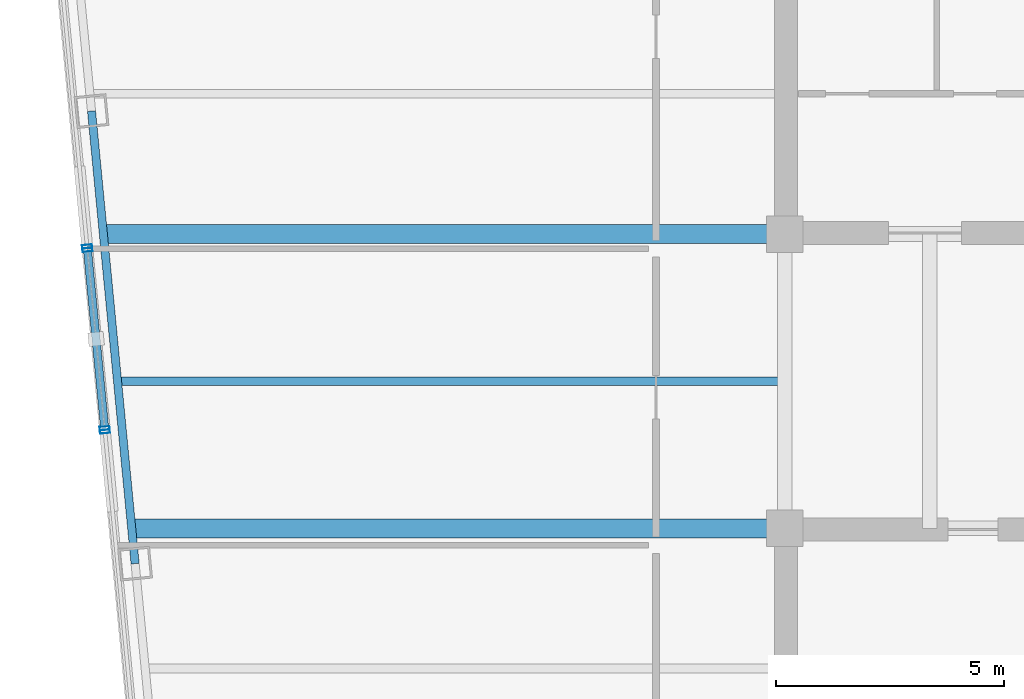
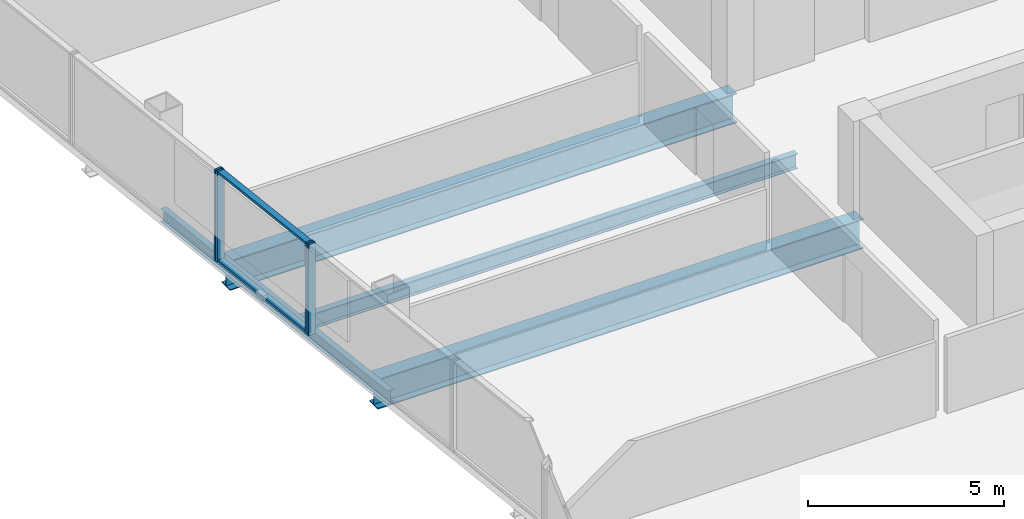
# One storey, part 6 of 22: 6 members, 4 beams, 3 elements without a shape of their own.
"""IFC4 building model written with IfcOpenShell, lengths in metres."""

import ifcopenshell
import ifcopenshell.guid

model = None  # the IFC model being written
_history = None  # IfcOwnerHistory: only IFC2X3 demands one
_inside = {}  # id of a spatial element -> (the spatial element, [elements in it])
_under = {}  # id of a project, library or spatial element -> (it, [spatial elements below it])
_declared = {}  # id of a project -> (the project, [libraries it declares])
_typed = {}  # id of a type object -> (the type object, [elements of that type])
_made_of = {}  # id of a material, layer set ... -> (it, [elements and type objects made of it])


def new_model(schema):
    """Start an empty IFC model of exactly this schema.

    Asked for "IFC4X3", IfcOpenShell would pick the latest addendum, in which some entities
    have other attributes; the version numbers below select the first issue.
    IFC2X3 requires an IfcOwnerHistory on every rooted entity: one is made here for all.
    """
    global model, _history
    if schema == "IFC4X3":
        model = ifcopenshell.file(schema_version=(4, 3, 0, 0))
    else:
        model = ifcopenshell.file(schema=schema)
    _inside.clear()
    _under.clear()
    _declared.clear()
    _typed.clear()
    _made_of.clear()
    _history = None
    if model.schema == "IFC2X3":
        org = make("IfcOrganization", Name="unknown")
        user = make(
            "IfcPersonAndOrganization",
            ThePerson=make("IfcPerson", FamilyName="unknown"),
            TheOrganization=org,
        )
        app = make(
            "IfcApplication",
            ApplicationDeveloper=org,
            Version="unknown",
            ApplicationFullName="unknown",
            ApplicationIdentifier="unknown",
        )
        _history = make(
            "IfcOwnerHistory",
            OwningUser=user,
            OwningApplication=app,
            ChangeAction="ADDED",
            CreationDate=0,
        )
    return model


def make(cls, **values):
    """One entity of the class cls with the attributes given. An attribute that is None is left unset."""
    return model.create_entity(
        cls, **{name: value for name, value in values.items() if value is not None}
    )


def rooted(cls, **values):
    """An entity with a GlobalId (a new one), such as an element, a storey or a relation."""
    return make(cls, GlobalId=ifcopenshell.guid.new(), OwnerHistory=_history, **values)


def si_unit(unit_type, name, prefix=None):
    """IfcSIUnit, for example si_unit("LENGTHUNIT", "METRE", prefix="MILLI")."""
    return make("IfcSIUnit", UnitType=unit_type, Prefix=prefix, Name=name)


def assignment(units):
    """IfcUnitAssignment: the units of a project."""
    return None if units is None else make("IfcUnitAssignment", Units=units)


def point(xyz):
    """IfcCartesianPoint."""
    return None if xyz is None else make("IfcCartesianPoint", Coordinates=xyz)


def direction(xyz):
    """IfcDirection."""
    return None if xyz is None else make("IfcDirection", DirectionRatios=xyz)


def frame(location, z_axis=None, x_axis=None):
    """IfcAxis2Placement3D, a coordinate frame: its origin and axes. An axis left out is left unset."""
    return make(
        "IfcAxis2Placement3D",
        Location=point(location),
        Axis=direction(z_axis),
        RefDirection=direction(x_axis),
    )


def frame_2d(location, x_axis=None):
    """IfcAxis2Placement2D, a coordinate frame in the plane: its origin and x axis."""
    return make(
        "IfcAxis2Placement2D", Location=point(location), RefDirection=direction(x_axis)
    )


def origin():
    """The frame at (0, 0, 0) with its axes left unset."""
    return frame((0.0, 0.0, 0.0))


def origin_2d():
    """The frame at (0, 0) in the plane with its x axis left unset."""
    return frame_2d((0.0, 0.0))


def place(relative_to, where):
    """IfcLocalPlacement: puts the frame where relative to a parent placement (None: the world)."""
    return make(
        "IfcLocalPlacement", PlacementRelTo=relative_to, RelativePlacement=where
    )


def context(
    kind, dimensions, precision=None, world=None, true_north=None, identifier=None
):
    """IfcGeometricRepresentationContext, for example the 3D "Model" context."""
    return make(
        "IfcGeometricRepresentationContext",
        ContextIdentifier=identifier,
        ContextType=kind,
        CoordinateSpaceDimension=dimensions,
        Precision=precision,
        WorldCoordinateSystem=world,
        TrueNorth=true_north,
    )


def subcontext(parent, identifier, kind, view, scale=None):
    """IfcGeometricRepresentationSubContext, for example "Body" below "Model"."""
    return make(
        "IfcGeometricRepresentationSubContext",
        ContextIdentifier=identifier,
        ContextType=kind,
        ParentContext=parent,
        TargetScale=scale,
        TargetView=view,
    )


def project(units=None, contexts=None):
    """IfcProject with its units and contexts."""
    return rooted(
        "IfcProject",
        Name="project",
        RepresentationContexts=contexts,
        UnitsInContext=assignment(units),
    )


def spatial(cls, under=None, at=None, **own):
    """A site, building, storey or space (cls), placed at a placement, below another one or the project."""
    s = rooted(cls, ObjectPlacement=at, **own)
    if under is not None:
        _under.setdefault(under.id(), (under, []))[1].append(s)
    return s


def profile(cls, at=None, kind="AREA", **sizes):
    """A parametric profile (cls). Its sizes go by their IFC names, for example OverallWidth=200.0."""
    return make(cls, ProfileType=kind, Position=at, **sizes)


def hollow_rectangle(**sizes):
    """IfcRectangleHollowProfileDef."""
    return profile("IfcRectangleHollowProfileDef", **sizes)


def i_section(**sizes):
    """IfcIShapeProfileDef."""
    return profile("IfcIShapeProfileDef", **sizes)


def extrude(swept, where, along, depth):
    """IfcExtrudedAreaSolid: the profile swept, set in the frame where, extruded along a direction by depth."""
    return make(
        "IfcExtrudedAreaSolid",
        SweptArea=swept,
        Position=where,
        ExtrudedDirection=direction(along),
        Depth=depth,
    )


def shape(context_of_items, identifier, shape_type, items):
    """IfcShapeRepresentation: the items that make up one representation, for example the "Body"."""
    return make(
        "IfcShapeRepresentation",
        ContextOfItems=context_of_items,
        RepresentationIdentifier=identifier,
        RepresentationType=shape_type,
        Items=items,
    )


def material(Name=None, Category=None):
    """IfcMaterial."""
    return make("IfcMaterial", Name=Name, Category=Category)


def layer(
    of_material, thickness, ventilated=None, Name=None, Category=None, Priority=None
):
    """IfcMaterialLayer: one layer of a wall or slab, of a material (None: an air gap)."""
    return make(
        "IfcMaterialLayer",
        Material=of_material,
        LayerThickness=thickness,
        IsVentilated=ventilated,
        Name=Name,
        Category=Category,
        Priority=Priority,
    )


def layer_set(layers, Name=None):
    """IfcMaterialLayerSet."""
    return make("IfcMaterialLayerSet", MaterialLayers=layers, LayerSetName=Name)


def material_profile(
    of_material, cross_section, Name=None, Category=None, Priority=None
):
    """IfcMaterialProfile: a cross section and its material."""
    return make(
        "IfcMaterialProfile",
        Name=Name,
        Material=of_material,
        Profile=cross_section,
        Priority=Priority,
        Category=Category,
    )


def profile_set(profiles, Name=None, composite=None):
    """IfcMaterialProfileSet."""
    return make(
        "IfcMaterialProfileSet",
        Name=Name,
        MaterialProfiles=profiles,
        CompositeProfile=composite,
    )


def made_of(thing, what):
    """Note that an element or type object is made of a material, layer set ...; save() writes the relation."""
    if what is not None:
        _made_of.setdefault(what.id(), (what, []))[1].append(thing)
    return thing


def type_object(cls, material=None, **own):
    """A type object (cls), such as IfcWallType, which elements share."""
    return made_of(rooted(cls, **own), material)


def element(
    cls,
    number,
    at=None,
    inside=None,
    cuts=None,
    type_object=None,
    material=None,
    context=None,
    identifier="Body",
    shape_type=None,
    held_by="IfcProductDefinitionShape",
    body=None,
    shapes=None,
    **own,
):
    """One element of the class cls, such as IfcWall. Its Tag is "e" and its number.

    at: its placement. inside: the storey or other place that contains it. cuts: it is an
    opening in that element (IfcRelVoidsElement). A single representation is given by context,
    identifier, shape_type and body (its items); several are given by shapes. held_by: the class
    of the entity that holds the representations. save() writes the other relations.
    """
    e = rooted(cls, Tag="e%d" % number, ObjectPlacement=at, **own)
    if body is not None:
        shapes = [shape(context, identifier, shape_type, body)]
    if shapes is not None:
        e.Representation = make(held_by, Representations=shapes)
    if inside is not None:
        _inside.setdefault(inside.id(), (inside, []))[1].append(e)
    if cuts is not None:
        rooted(
            "IfcRelVoidsElement", RelatingBuildingElement=cuts, RelatedOpeningElement=e
        )
    if type_object is not None:
        _typed.setdefault(type_object.id(), (type_object, []))[1].append(e)
    return made_of(e, material)


def aggregate(whole, parts):
    """IfcRelAggregates: a whole, such as a stair, and the parts it consists of."""
    return rooted("IfcRelAggregates", RelatingObject=whole, RelatedObjects=parts)


def save(model, path):
    """Write the relations noted so far, then the file.

    IfcRelAggregates (storeys below a building ...), IfcRelContainedInSpatialStructure (elements
    in a storey), IfcRelDefinesByType, IfcRelAssociatesMaterial and IfcRelDeclares: one each for
    every whole, place, type object, material and project.
    """
    for whole, parts in _under.values():
        aggregate(whole, parts)
    for where, things in _inside.values():
        rooted(
            "IfcRelContainedInSpatialStructure",
            RelatedElements=things,
            RelatingStructure=where,
        )
    for kind, things in _typed.values():
        rooted("IfcRelDefinesByType", RelatedObjects=things, RelatingType=kind)
    for what, things in _made_of.values():
        rooted("IfcRelAssociatesMaterial", RelatedObjects=things, RelatingMaterial=what)
    for by, libraries in _declared.values():
        rooted("IfcRelDeclares", RelatingContext=by, RelatedDefinitions=libraries)
    model.write(path)


model = new_model("IFC4")

# Units and contexts
model_context = context("Model", 3, precision=1e-05, world=origin(), true_north=direction((0.0, 1.0)))
body_context = subcontext(model_context, "Body", "Model", "MODEL_VIEW")
ifc_project = project(units=[si_unit("LENGTHUNIT", "METRE"), si_unit("AREAUNIT", "SQUARE_METRE"), si_unit("VOLUMEUNIT", "CUBIC_METRE"), si_unit("PLANEANGLEUNIT", "RADIAN"), si_unit("MASSUNIT", "GRAM", prefix="KILO")], contexts=[model_context])

# Site, building, storey
site_placement = place(None, origin())
site = spatial("IfcSite", under=ifc_project, at=site_placement, CompositionType="ELEMENT")
building_placement = place(site_placement, origin())
building = spatial("IfcBuilding", under=site, at=building_placement, Name="Qhalaya Broadcast Tower", CompositionType="ELEMENT")
storey_placement = place(building_placement, frame((0.0, 0.0, 174.449951171875)))
storey = spatial("IfcBuildingStorey", under=building, at=storey_placement, Name="L51", CompositionType="ELEMENT", Elevation=174.449951171875)

# Beams
ifc_material_1 = material(Name="Structural Steel ASTM A992 Grade 50", Category="steel")
ifc_material_profile_1 = material_profile(ifc_material_1, i_section(OverallWidth=0.19189453125, OverallDepth=0.462890625, WebThickness=0.010498046875, FlangeThickness=0.017578125, at=origin_2d()), Name="W18X60")
ifc_profile_set_1 = profile_set([ifc_material_profile_1], Name="Structural Steel ASTM A992 Grade 50")
beam_type_1 = type_object("IfcBeamType", Name="Composite Floor Joist J03", PredefinedType="JOIST", material=ifc_profile_set_1)
beam_1_placement = place(storey_placement, frame((-23.982421875, 0.60009765625, -0.451416015625), z_axis=(1.0, 0.0, 0.0), x_axis=(0.0, 1.0, 0.0)))
element("IfcBeam", 1, at=beam_1_placement, inside=storey, type_object=beam_type_1, Name="L51 J03 L51-JWE4W-1", PredefinedType="JOIST", context=body_context, shape_type="SweptSolid", body=[
    extrude(i_section(OverallWidth=0.19189453125, OverallDepth=0.462890625, WebThickness=0.010498046875, FlangeThickness=0.017578125, at=origin_2d()), origin(), (0.0, 0.0, 1.0), 14.607421875),
])
ifc_material_profile_2 = material_profile(ifc_material_1, i_section(OverallWidth=0.4189453125, OverallDepth=0.927001953125, WebThickness=0.019287109375, FlangeThickness=0.031982421875, at=origin_2d()), Name="W36X231")
ifc_profile_set_2 = profile_set([ifc_material_profile_2], Name="Structural Steel ASTM A992 Grade 50")
beam_type_2 = type_object("IfcBeamType", Name="Mid Block Primary Girder PG3", PredefinedType="USERDEFINED", material=ifc_profile_set_2)
beam_2_placement = place(storey_placement, frame((-23.671875, -2.625, -0.683349609375), z_axis=(1.0, 0.0, 0.0), x_axis=(0.0, 1.0, 0.0)))
element("IfcBeam", 2, at=beam_2_placement, inside=storey, type_object=beam_type_2, Name="L51 PG3 L51-PGYW2-1", ObjectType="GIRDER", PredefinedType="USERDEFINED", context=body_context, shape_type="SweptSolid", body=[
    extrude(i_section(OverallWidth=0.4189453125, OverallDepth=0.927001953125, WebThickness=0.019287109375, FlangeThickness=0.031982421875, at=origin_2d()), origin(), (0.0, 0.0, 1.0), 14.296875),
])
beam_3_placement = place(storey_placement, frame((-24.29296875, 3.824951171875, -0.683349609375), z_axis=(1.0, 0.0, 0.0), x_axis=(0.0, 1.0, 0.0)))
element("IfcBeam", 3, at=beam_3_placement, inside=storey, type_object=beam_type_2, Name="L51 PG3 L51-PGYW3-1", ObjectType="GIRDER", PredefinedType="USERDEFINED", context=body_context, shape_type="SweptSolid", body=[
    extrude(i_section(OverallWidth=0.4189453125, OverallDepth=0.927001953125, WebThickness=0.019287109375, FlangeThickness=0.031982421875, at=origin_2d()), origin(), (0.0, 0.0, 1.0), 14.91796875),
])

# Curtain wall, member
ifc_material_2 = material(Name="Fired Architectural Terracotta", Category="masonry")
ifc_layer_1 = layer(ifc_material_2, 0.219970703125, Name="Fired Architectural Terracotta")
ifc_layer_set_1 = layer_set([ifc_layer_1], Name="Fired Architectural Terracotta")
curtain_wall_type_1 = type_object("IfcCurtainWallType", Name="Block-Cap Unitised Terracotta Spandrel Wall CW-07", PredefinedType="NOTDEFINED", material=ifc_layer_set_1)
curtain_wall_1_placement = place(storey_placement, origin())
curtain_wall_1 = element("IfcCurtainWall", 4, at=curtain_wall_1_placement, inside=storey, type_object=curtain_wall_type_1, Name="L51 Unitised Curtain Wall L51-CW-W3", PredefinedType="NOTDEFINED")
ifc_material_3 = material(Name="Anodised Aluminium 6063-T6", Category="aluminium")
ifc_material_profile_3 = material_profile(ifc_material_3, hollow_rectangle(XDim=0.074951171875, YDim=0.219970703125, WallThickness=0.00390625, at=origin_2d()), Name="ALU-MUL 75x220x4")
ifc_profile_set_3 = profile_set([ifc_material_profile_3], Name="Anodised Aluminium 6063-T6")
member_type_1 = type_object("IfcMemberType", Name="Unitised Curtain-Wall Mullion M01", PredefinedType="MULLION", material=ifc_profile_set_3)
member_1_placement = place(storey_placement, frame((-24.668701171875, 3.553466796875, 0.0), z_axis=(0.0, 0.0, 1.0), x_axis=(0.095836642528, -0.995397075518, 0.0)))
member_1 = element("IfcMember", 5, at=member_1_placement, type_object=member_type_1, Name="CW-07 mullion 2", PredefinedType="MULLION", context=body_context, shape_type="SweptSolid", body=[
    extrude(hollow_rectangle(XDim=0.074951171875, YDim=0.219970703125, WallThickness=0.00390625, at=origin_2d()), origin(), (0.0, 0.0, 1.0), 2.830078125),
])
aggregate(curtain_wall_1, [member_1])

# Curtain wall, members
ifc_material_4 = material(Name="Solar-Control Low-E Triple Glazing", Category="glass")
ifc_layer_2 = layer(ifc_material_4, 0.219970703125, Name="Solar-Control Low-E Triple Glazing")
ifc_layer_set_2 = layer_set([ifc_layer_2], Name="Solar-Control Low-E Triple Glazing")
curtain_wall_type_2 = type_object("IfcCurtainWallType", Name="Even-Block 4-Storey Double-Module Curtain Wall CW-03", PredefinedType="NOTDEFINED", material=ifc_layer_set_2)
curtain_wall_2_placement = place(storey_placement, origin())
curtain_wall_2 = element("IfcCurtainWall", 6, at=curtain_wall_2_placement, inside=storey, type_object=curtain_wall_type_2, Name="L51 Unitised Curtain Wall L51-CW-W4", PredefinedType="NOTDEFINED")
member_2_placement = place(storey_placement, frame((-24.661376953125, 3.478759765625, 0.0), z_axis=(0.0, 0.0, 1.0), x_axis=(0.095851433835, -0.995395651302, 0.0)))
member_2 = element("IfcMember", 7, at=member_2_placement, type_object=member_type_1, Name="CW-03 mullion 1", PredefinedType="MULLION", context=body_context, shape_type="SweptSolid", body=[
    extrude(hollow_rectangle(XDim=0.074951171875, YDim=0.219970703125, WallThickness=0.00390625, at=origin_2d()), origin(), (0.0, 0.0, 1.0), 2.830078125),
])
member_3_placement = place(storey_placement, frame((-24.284912109375, -0.43017578125, 0.0), z_axis=(0.0, 0.0, 1.0), x_axis=(0.095851433835, -0.995395651302, 0.0)))
member_3 = element("IfcMember", 8, at=member_3_placement, type_object=member_type_1, Name="CW-03 mullion 2", PredefinedType="MULLION", context=body_context, shape_type="SweptSolid", body=[
    extrude(hollow_rectangle(XDim=0.074951171875, YDim=0.219970703125, WallThickness=0.00390625, at=origin_2d()), origin(), (0.0, 0.0, 1.0), 2.830078125),
])

# Curtain wall, member
curtain_wall_3_placement = place(storey_placement, origin())
curtain_wall_3 = element("IfcCurtainWall", 9, at=curtain_wall_3_placement, inside=storey, type_object=curtain_wall_type_1, Name="L51 Unitised Curtain Wall L51-CW-W5", PredefinedType="NOTDEFINED")
member_4_placement = place(storey_placement, frame((-24.27783203125, -0.5048828125, 0.0), z_axis=(0.0, 0.0, 1.0), x_axis=(0.095853708125, -0.995395432297, 0.0)))
member_4 = element("IfcMember", 10, at=member_4_placement, type_object=member_type_1, Name="CW-07 mullion 1", PredefinedType="MULLION", context=body_context, shape_type="SweptSolid", body=[
    extrude(hollow_rectangle(XDim=0.074951171875, YDim=0.219970703125, WallThickness=0.00390625, at=origin_2d()), origin(), (0.0, 0.0, 1.0), 2.830078125),
])
aggregate(curtain_wall_3, [member_4])

# Member
ifc_material_profile_4 = material_profile(ifc_material_3, hollow_rectangle(XDim=0.074951171875, YDim=0.179931640625, WallThickness=0.00390625, at=origin_2d()), Name="ALU-TRN 75x180x4")
ifc_profile_set_4 = profile_set([ifc_material_profile_4], Name="Anodised Aluminium 6063-T6")
member_type_2 = type_object("IfcMemberType", Name="Unitised Curtain-Wall Transom T01", PredefinedType="USERDEFINED", material=ifc_profile_set_4)
member_5_placement = place(storey_placement, frame((-24.65771484375, 3.44140625, 0.03759765625), z_axis=(0.095831968077, -0.995397525562, 0.0), x_axis=(0.0, 0.0, 1.0)))
member_5 = element("IfcMember", 11, at=member_5_placement, type_object=member_type_2, Name="CW-03 transom 1.1", ObjectType="TRANSOM", PredefinedType="USERDEFINED", context=body_context, shape_type="SweptSolid", body=[
    extrude(hollow_rectangle(XDim=0.074951171875, YDim=0.179931640625, WallThickness=0.00390625, at=origin_2d()), origin(), (0.0, 0.0, 1.0), 3.85205078125),
])

member_6_placement = place(storey_placement, frame((-24.65771484375, 3.44140625, 2.79248046875), z_axis=(0.095831968077, -0.995397525562, 0.0), x_axis=(0.0, 0.0, 1.0)))
member_6 = element("IfcMember", 12, at=member_6_placement, type_object=member_type_2, Name="CW-03 transom 1.2", ObjectType="TRANSOM", PredefinedType="USERDEFINED", context=body_context, shape_type="SweptSolid", body=[
    extrude(hollow_rectangle(XDim=0.074951171875, YDim=0.179931640625, WallThickness=0.00390625, at=origin_2d()), origin(), (0.0, 0.0, 1.0), 3.85205078125),
])

aggregate(curtain_wall_2, [member_2, member_3, member_5, member_6])

# Beam
ifc_material_profile_5 = material_profile(ifc_material_1, i_section(OverallWidth=0.177978515625, OverallDepth=0.406005859375, WebThickness=0.0078125, FlangeThickness=0.0126953125, at=origin_2d()), Name="W16X40")
ifc_profile_set_5 = profile_set([ifc_material_profile_5], Name="Structural Steel ASTM A992 Grade 50")
beam_type_3 = type_object("IfcBeamType", Name="Upper Perimeter Spandrel Beam SP2", PredefinedType="SPANDREL", material=ifc_profile_set_5)
beam_4_placement = place(storey_placement, frame((-24.572509765625, 6.521240234375, -0.4228515625), z_axis=(0.095850563819, -0.99539573508, 0.0), x_axis=(0.99539573508, 0.095850563819, 0.0)))
element("IfcBeam", 13, at=beam_4_placement, inside=storey, type_object=beam_type_3, Name="L51 SP2 L51-SPR-14", PredefinedType="SPANDREL", context=body_context, shape_type="SweptSolid", body=[
    extrude(i_section(OverallWidth=0.177978515625, OverallDepth=0.406005859375, WebThickness=0.0078125, FlangeThickness=0.0126953125, at=origin_2d()), origin(), (0.0, 0.0, 1.0), 9.966796875),
])

save(model, "model.ifc")
